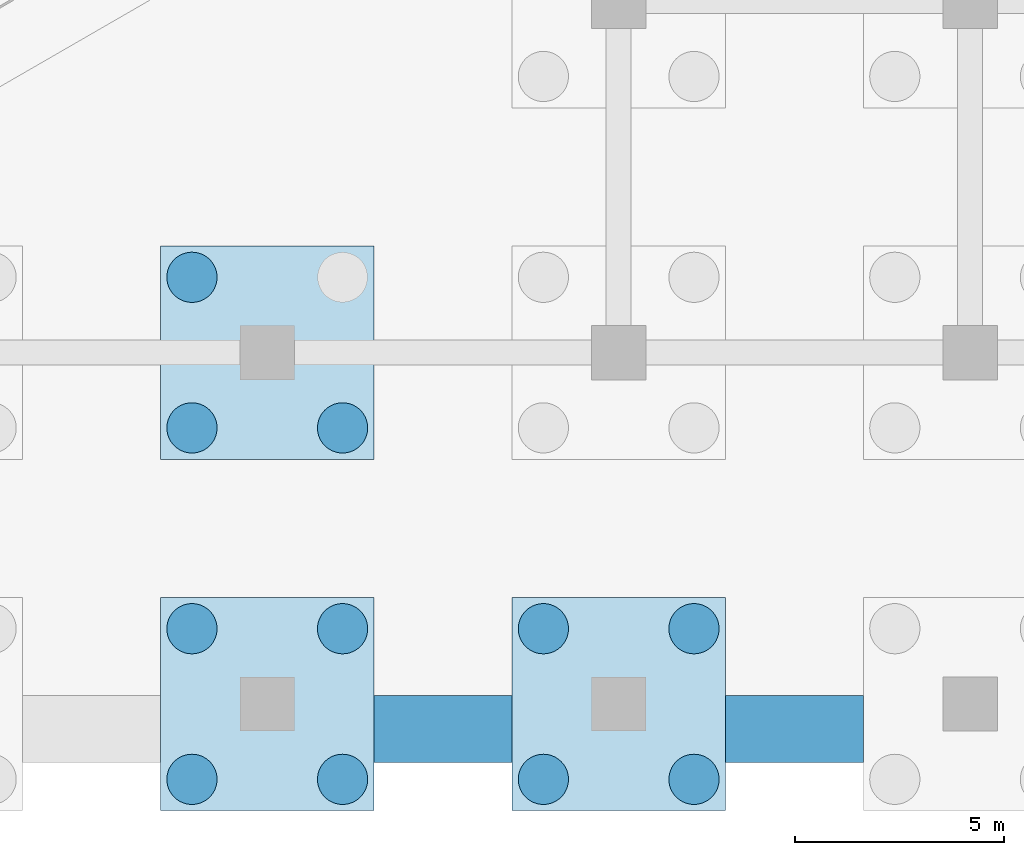
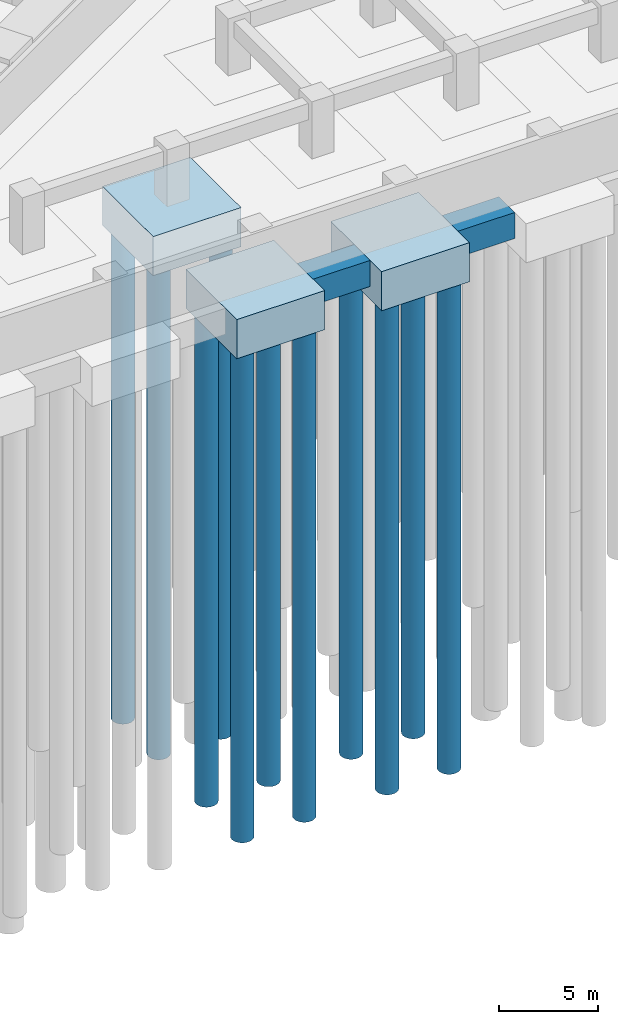
# One storey, part 6 of 73: 11 piles, 5 footings.
"""IFC4 building model written with IfcOpenShell, lengths in metres."""

from ifc_helpers import new_model, si_unit, direction, frame, origin, origin_2d, place, context, subcontext, project, spatial, polyline, circle, outline, extrude, material, material_profile, profile_set, type_object, element, save


model = new_model("IFC4")

# Units and contexts
model_context = context("Model", 3, precision=1e-05, world=origin(), true_north=direction((0.0, 1.0)))
body_context = subcontext(model_context, "Body", "Model", "MODEL_VIEW")
ifc_project = project(units=[si_unit("LENGTHUNIT", "METRE"), si_unit("AREAUNIT", "SQUARE_METRE"), si_unit("VOLUMEUNIT", "CUBIC_METRE"), si_unit("PLANEANGLEUNIT", "RADIAN"), si_unit("MASSUNIT", "GRAM", prefix="KILO")], contexts=[model_context])

# Site, building, storey
site_placement = place(None, origin())
site = spatial("IfcSite", under=ifc_project, at=site_placement, CompositionType="ELEMENT")
building_placement = place(site_placement, origin())
building = spatial("IfcBuilding", under=site, at=building_placement, Name="Impinga Residences", CompositionType="ELEMENT")
storey_placement = place(building_placement, frame((0.0, 0.0, -10.5)))
storey = spatial("IfcBuildingStorey", under=building, at=storey_placement, Name="B3", CompositionType="ELEMENT", Elevation=-10.5)

# Piles
ifc_material_1 = material(Name="Concrete C35/45", Category="concrete")
ifc_material_profile = material_profile(ifc_material_1, circle(Radius=0.60009765625, at=origin_2d()), Name="D1200")
ifc_profile_set = profile_set([ifc_material_profile], Name="Concrete C35/45")
pile_type = type_object("IfcPileType", Name="BP2 bored pile D1200", PredefinedType="BORED", material=ifc_profile_set)
pile_1_placement = place(storey_placement, frame((-18.60009765625, -43.800048828125, -2.39990234375), z_axis=(0.0, 0.0, -1.0), x_axis=(1.0, 0.0, 0.0)))
element("IfcPile", 1, at=pile_1_placement, inside=storey, type_object=pile_type, Name="Cap pile BP2 5/A-1", PredefinedType="BORED", context=body_context, shape_type="SweptSolid", body=[
    extrude(outline(polyline([(0.60009765625, 0.0), (0.59716796875, 0.058837890625), (0.58837890625, 0.116943359375), (0.57421875, 0.174072265625), (0.554443359375, 0.2294921875), (0.529052734375, 0.282958984375), (0.498779296875, 0.333251953125), (0.4638671875, 0.380615234375), (0.42431640625, 0.42431640625), (0.380615234375, 0.4638671875), (0.333251953125, 0.498779296875), (0.282958984375, 0.529052734375), (0.2294921875, 0.554443359375), (0.174072265625, 0.57421875), (0.116943359375, 0.58837890625), (0.058837890625, 0.59716796875), (0.0, 0.60009765625), (-0.058837890625, 0.59716796875), (-0.116943359375, 0.58837890625), (-0.174072265625, 0.57421875), (-0.2294921875, 0.554443359375), (-0.282958984375, 0.529052734375), (-0.333251953125, 0.498779296875), (-0.380615234375, 0.4638671875), (-0.42431640625, 0.42431640625), (-0.4638671875, 0.380615234375), (-0.498779296875, 0.333251953125), (-0.529052734375, 0.282958984375), (-0.554443359375, 0.2294921875), (-0.57421875, 0.174072265625), (-0.58837890625, 0.116943359375), (-0.59716796875, 0.058837890625), (-0.60009765625, 0.0), (-0.59716796875, -0.058837890625), (-0.58837890625, -0.116943359375), (-0.57421875, -0.174072265625), (-0.554443359375, -0.2294921875), (-0.529052734375, -0.282958984375), (-0.498779296875, -0.333251953125), (-0.4638671875, -0.380615234375), (-0.42431640625, -0.42431640625), (-0.380615234375, -0.4638671875), (-0.333251953125, -0.498779296875), (-0.282958984375, -0.529052734375), (-0.2294921875, -0.554443359375), (-0.174072265625, -0.57421875), (-0.116943359375, -0.58837890625), (-0.058837890625, -0.59716796875), (0.0, -0.60009765625), (0.058837890625, -0.59716796875), (0.116943359375, -0.58837890625), (0.174072265625, -0.57421875), (0.2294921875, -0.554443359375), (0.282958984375, -0.529052734375), (0.333251953125, -0.498779296875), (0.380615234375, -0.4638671875), (0.42431640625, -0.42431640625), (0.4638671875, -0.380615234375), (0.498779296875, -0.333251953125), (0.529052734375, -0.282958984375), (0.554443359375, -0.2294921875), (0.57421875, -0.174072265625), (0.58837890625, -0.116943359375), (0.59716796875, -0.058837890625), (0.60009765625, 0.0)])), origin(), (0.0, 0.0, 1.0), 30.0),
])
pile_2_placement = place(storey_placement, frame((-15.0, -43.800048828125, -2.39990234375), z_axis=(0.0, 0.0, -1.0), x_axis=(1.0, 0.0, 0.0)))
element("IfcPile", 2, at=pile_2_placement, inside=storey, type_object=pile_type, Name="Cap pile BP2 5/A-2", PredefinedType="BORED", context=body_context, shape_type="SweptSolid", body=[
    extrude(outline(polyline([(0.60009765625, 0.0), (0.59716796875, 0.058837890625), (0.58837890625, 0.116943359375), (0.57421875, 0.174072265625), (0.554443359375, 0.2294921875), (0.529052734375, 0.282958984375), (0.498779296875, 0.333251953125), (0.4638671875, 0.380615234375), (0.42431640625, 0.42431640625), (0.380615234375, 0.4638671875), (0.333251953125, 0.498779296875), (0.282958984375, 0.529052734375), (0.2294921875, 0.554443359375), (0.174072265625, 0.57421875), (0.116943359375, 0.58837890625), (0.058837890625, 0.59716796875), (0.0, 0.60009765625), (-0.058837890625, 0.59716796875), (-0.116943359375, 0.58837890625), (-0.174072265625, 0.57421875), (-0.2294921875, 0.554443359375), (-0.282958984375, 0.529052734375), (-0.333251953125, 0.498779296875), (-0.380615234375, 0.4638671875), (-0.42431640625, 0.42431640625), (-0.4638671875, 0.380615234375), (-0.498779296875, 0.333251953125), (-0.529052734375, 0.282958984375), (-0.554443359375, 0.2294921875), (-0.57421875, 0.174072265625), (-0.58837890625, 0.116943359375), (-0.59716796875, 0.058837890625), (-0.60009765625, 0.0), (-0.59716796875, -0.058837890625), (-0.58837890625, -0.116943359375), (-0.57421875, -0.174072265625), (-0.554443359375, -0.2294921875), (-0.529052734375, -0.282958984375), (-0.498779296875, -0.333251953125), (-0.4638671875, -0.380615234375), (-0.42431640625, -0.42431640625), (-0.380615234375, -0.4638671875), (-0.333251953125, -0.498779296875), (-0.282958984375, -0.529052734375), (-0.2294921875, -0.554443359375), (-0.174072265625, -0.57421875), (-0.116943359375, -0.58837890625), (-0.058837890625, -0.59716796875), (0.0, -0.60009765625), (0.058837890625, -0.59716796875), (0.116943359375, -0.58837890625), (0.174072265625, -0.57421875), (0.2294921875, -0.554443359375), (0.282958984375, -0.529052734375), (0.333251953125, -0.498779296875), (0.380615234375, -0.4638671875), (0.42431640625, -0.42431640625), (0.4638671875, -0.380615234375), (0.498779296875, -0.333251953125), (0.529052734375, -0.282958984375), (0.554443359375, -0.2294921875), (0.57421875, -0.174072265625), (0.58837890625, -0.116943359375), (0.59716796875, -0.058837890625), (0.60009765625, 0.0)])), origin(), (0.0, 0.0, 1.0), 30.0),
])
pile_3_placement = place(storey_placement, frame((-15.0, -40.199951171875, -2.39990234375), z_axis=(0.0, 0.0, -1.0), x_axis=(1.0, 0.0, 0.0)))
element("IfcPile", 3, at=pile_3_placement, inside=storey, type_object=pile_type, Name="Cap pile BP2 5/A-3", PredefinedType="BORED", context=body_context, shape_type="SweptSolid", body=[
    extrude(outline(polyline([(0.60009765625, 0.0), (0.59716796875, 0.058837890625), (0.58837890625, 0.116943359375), (0.57421875, 0.174072265625), (0.554443359375, 0.2294921875), (0.529052734375, 0.282958984375), (0.498779296875, 0.333251953125), (0.4638671875, 0.380615234375), (0.42431640625, 0.42431640625), (0.380615234375, 0.4638671875), (0.333251953125, 0.498779296875), (0.282958984375, 0.529052734375), (0.2294921875, 0.554443359375), (0.174072265625, 0.57421875), (0.116943359375, 0.58837890625), (0.058837890625, 0.59716796875), (0.0, 0.60009765625), (-0.058837890625, 0.59716796875), (-0.116943359375, 0.58837890625), (-0.174072265625, 0.57421875), (-0.2294921875, 0.554443359375), (-0.282958984375, 0.529052734375), (-0.333251953125, 0.498779296875), (-0.380615234375, 0.4638671875), (-0.42431640625, 0.42431640625), (-0.4638671875, 0.380615234375), (-0.498779296875, 0.333251953125), (-0.529052734375, 0.282958984375), (-0.554443359375, 0.2294921875), (-0.57421875, 0.174072265625), (-0.58837890625, 0.116943359375), (-0.59716796875, 0.058837890625), (-0.60009765625, 0.0), (-0.59716796875, -0.058837890625), (-0.58837890625, -0.116943359375), (-0.57421875, -0.174072265625), (-0.554443359375, -0.2294921875), (-0.529052734375, -0.282958984375), (-0.498779296875, -0.333251953125), (-0.4638671875, -0.380615234375), (-0.42431640625, -0.42431640625), (-0.380615234375, -0.4638671875), (-0.333251953125, -0.498779296875), (-0.282958984375, -0.529052734375), (-0.2294921875, -0.554443359375), (-0.174072265625, -0.57421875), (-0.116943359375, -0.58837890625), (-0.058837890625, -0.59716796875), (0.0, -0.60009765625), (0.058837890625, -0.59716796875), (0.116943359375, -0.58837890625), (0.174072265625, -0.57421875), (0.2294921875, -0.554443359375), (0.282958984375, -0.529052734375), (0.333251953125, -0.498779296875), (0.380615234375, -0.4638671875), (0.42431640625, -0.42431640625), (0.4638671875, -0.380615234375), (0.498779296875, -0.333251953125), (0.529052734375, -0.282958984375), (0.554443359375, -0.2294921875), (0.57421875, -0.174072265625), (0.58837890625, -0.116943359375), (0.59716796875, -0.058837890625), (0.60009765625, 0.0)])), origin(), (0.0, 0.0, 1.0), 30.0),
])
pile_4_placement = place(storey_placement, frame((-18.60009765625, -40.199951171875, -2.39990234375), z_axis=(0.0, 0.0, -1.0), x_axis=(1.0, 0.0, 0.0)))
element("IfcPile", 4, at=pile_4_placement, inside=storey, type_object=pile_type, Name="Cap pile BP2 5/A-4", PredefinedType="BORED", context=body_context, shape_type="SweptSolid", body=[
    extrude(outline(polyline([(0.60009765625, 0.0), (0.59716796875, 0.058837890625), (0.58837890625, 0.116943359375), (0.57421875, 0.174072265625), (0.554443359375, 0.2294921875), (0.529052734375, 0.282958984375), (0.498779296875, 0.333251953125), (0.4638671875, 0.380615234375), (0.42431640625, 0.42431640625), (0.380615234375, 0.4638671875), (0.333251953125, 0.498779296875), (0.282958984375, 0.529052734375), (0.2294921875, 0.554443359375), (0.174072265625, 0.57421875), (0.116943359375, 0.58837890625), (0.058837890625, 0.59716796875), (0.0, 0.60009765625), (-0.058837890625, 0.59716796875), (-0.116943359375, 0.58837890625), (-0.174072265625, 0.57421875), (-0.2294921875, 0.554443359375), (-0.282958984375, 0.529052734375), (-0.333251953125, 0.498779296875), (-0.380615234375, 0.4638671875), (-0.42431640625, 0.42431640625), (-0.4638671875, 0.380615234375), (-0.498779296875, 0.333251953125), (-0.529052734375, 0.282958984375), (-0.554443359375, 0.2294921875), (-0.57421875, 0.174072265625), (-0.58837890625, 0.116943359375), (-0.59716796875, 0.058837890625), (-0.60009765625, 0.0), (-0.59716796875, -0.058837890625), (-0.58837890625, -0.116943359375), (-0.57421875, -0.174072265625), (-0.554443359375, -0.2294921875), (-0.529052734375, -0.282958984375), (-0.498779296875, -0.333251953125), (-0.4638671875, -0.380615234375), (-0.42431640625, -0.42431640625), (-0.380615234375, -0.4638671875), (-0.333251953125, -0.498779296875), (-0.282958984375, -0.529052734375), (-0.2294921875, -0.554443359375), (-0.174072265625, -0.57421875), (-0.116943359375, -0.58837890625), (-0.058837890625, -0.59716796875), (0.0, -0.60009765625), (0.058837890625, -0.59716796875), (0.116943359375, -0.58837890625), (0.174072265625, -0.57421875), (0.2294921875, -0.554443359375), (0.282958984375, -0.529052734375), (0.333251953125, -0.498779296875), (0.380615234375, -0.4638671875), (0.42431640625, -0.42431640625), (0.4638671875, -0.380615234375), (0.498779296875, -0.333251953125), (0.529052734375, -0.282958984375), (0.554443359375, -0.2294921875), (0.57421875, -0.174072265625), (0.58837890625, -0.116943359375), (0.59716796875, -0.058837890625), (0.60009765625, 0.0)])), origin(), (0.0, 0.0, 1.0), 30.0),
])
pile_5_placement = place(storey_placement, frame((-18.60009765625, -35.39990234375, -2.39990234375), z_axis=(0.0, 0.0, -1.0), x_axis=(1.0, 0.0, 0.0)))
element("IfcPile", 5, at=pile_5_placement, inside=storey, type_object=pile_type, Name="Cap pile BP2 5/B-1", PredefinedType="BORED", context=body_context, shape_type="SweptSolid", body=[
    extrude(outline(polyline([(0.60009765625, 0.0), (0.59716796875, 0.058837890625), (0.58837890625, 0.116943359375), (0.57421875, 0.174072265625), (0.554443359375, 0.2294921875), (0.529052734375, 0.282958984375), (0.498779296875, 0.333251953125), (0.4638671875, 0.380615234375), (0.42431640625, 0.42431640625), (0.380615234375, 0.4638671875), (0.333251953125, 0.498779296875), (0.282958984375, 0.529052734375), (0.2294921875, 0.554443359375), (0.174072265625, 0.57421875), (0.116943359375, 0.58837890625), (0.058837890625, 0.59716796875), (0.0, 0.60009765625), (-0.058837890625, 0.59716796875), (-0.116943359375, 0.58837890625), (-0.174072265625, 0.57421875), (-0.2294921875, 0.554443359375), (-0.282958984375, 0.529052734375), (-0.333251953125, 0.498779296875), (-0.380615234375, 0.4638671875), (-0.42431640625, 0.42431640625), (-0.4638671875, 0.380615234375), (-0.498779296875, 0.333251953125), (-0.529052734375, 0.282958984375), (-0.554443359375, 0.2294921875), (-0.57421875, 0.174072265625), (-0.58837890625, 0.116943359375), (-0.59716796875, 0.058837890625), (-0.60009765625, 0.0), (-0.59716796875, -0.058837890625), (-0.58837890625, -0.116943359375), (-0.57421875, -0.174072265625), (-0.554443359375, -0.2294921875), (-0.529052734375, -0.282958984375), (-0.498779296875, -0.333251953125), (-0.4638671875, -0.380615234375), (-0.42431640625, -0.42431640625), (-0.380615234375, -0.4638671875), (-0.333251953125, -0.498779296875), (-0.282958984375, -0.529052734375), (-0.2294921875, -0.554443359375), (-0.174072265625, -0.57421875), (-0.116943359375, -0.58837890625), (-0.058837890625, -0.59716796875), (0.0, -0.60009765625), (0.058837890625, -0.59716796875), (0.116943359375, -0.58837890625), (0.174072265625, -0.57421875), (0.2294921875, -0.554443359375), (0.282958984375, -0.529052734375), (0.333251953125, -0.498779296875), (0.380615234375, -0.4638671875), (0.42431640625, -0.42431640625), (0.4638671875, -0.380615234375), (0.498779296875, -0.333251953125), (0.529052734375, -0.282958984375), (0.554443359375, -0.2294921875), (0.57421875, -0.174072265625), (0.58837890625, -0.116943359375), (0.59716796875, -0.058837890625), (0.60009765625, 0.0)])), origin(), (0.0, 0.0, 1.0), 30.0),
])
pile_6_placement = place(storey_placement, frame((-15.0, -35.39990234375, -2.39990234375), z_axis=(0.0, 0.0, -1.0), x_axis=(1.0, 0.0, 0.0)))
element("IfcPile", 6, at=pile_6_placement, inside=storey, type_object=pile_type, Name="Cap pile BP2 5/B-2", PredefinedType="BORED", context=body_context, shape_type="SweptSolid", body=[
    extrude(outline(polyline([(0.60009765625, 0.0), (0.59716796875, 0.058837890625), (0.58837890625, 0.116943359375), (0.57421875, 0.174072265625), (0.554443359375, 0.2294921875), (0.529052734375, 0.282958984375), (0.498779296875, 0.333251953125), (0.4638671875, 0.380615234375), (0.42431640625, 0.42431640625), (0.380615234375, 0.4638671875), (0.333251953125, 0.498779296875), (0.282958984375, 0.529052734375), (0.2294921875, 0.554443359375), (0.174072265625, 0.57421875), (0.116943359375, 0.58837890625), (0.058837890625, 0.59716796875), (0.0, 0.60009765625), (-0.058837890625, 0.59716796875), (-0.116943359375, 0.58837890625), (-0.174072265625, 0.57421875), (-0.2294921875, 0.554443359375), (-0.282958984375, 0.529052734375), (-0.333251953125, 0.498779296875), (-0.380615234375, 0.4638671875), (-0.42431640625, 0.42431640625), (-0.4638671875, 0.380615234375), (-0.498779296875, 0.333251953125), (-0.529052734375, 0.282958984375), (-0.554443359375, 0.2294921875), (-0.57421875, 0.174072265625), (-0.58837890625, 0.116943359375), (-0.59716796875, 0.058837890625), (-0.60009765625, 0.0), (-0.59716796875, -0.058837890625), (-0.58837890625, -0.116943359375), (-0.57421875, -0.174072265625), (-0.554443359375, -0.2294921875), (-0.529052734375, -0.282958984375), (-0.498779296875, -0.333251953125), (-0.4638671875, -0.380615234375), (-0.42431640625, -0.42431640625), (-0.380615234375, -0.4638671875), (-0.333251953125, -0.498779296875), (-0.282958984375, -0.529052734375), (-0.2294921875, -0.554443359375), (-0.174072265625, -0.57421875), (-0.116943359375, -0.58837890625), (-0.058837890625, -0.59716796875), (0.0, -0.60009765625), (0.058837890625, -0.59716796875), (0.116943359375, -0.58837890625), (0.174072265625, -0.57421875), (0.2294921875, -0.554443359375), (0.282958984375, -0.529052734375), (0.333251953125, -0.498779296875), (0.380615234375, -0.4638671875), (0.42431640625, -0.42431640625), (0.4638671875, -0.380615234375), (0.498779296875, -0.333251953125), (0.529052734375, -0.282958984375), (0.554443359375, -0.2294921875), (0.57421875, -0.174072265625), (0.58837890625, -0.116943359375), (0.59716796875, -0.058837890625), (0.60009765625, 0.0)])), origin(), (0.0, 0.0, 1.0), 30.0),
])
pile_7_placement = place(storey_placement, frame((-18.60009765625, -31.800048828125, -2.39990234375), z_axis=(0.0, 0.0, -1.0), x_axis=(1.0, 0.0, 0.0)))
element("IfcPile", 7, at=pile_7_placement, inside=storey, type_object=pile_type, Name="Cap pile BP2 5/B-4", PredefinedType="BORED", context=body_context, shape_type="SweptSolid", body=[
    extrude(outline(polyline([(0.60009765625, 0.0), (0.59716796875, 0.058837890625), (0.58837890625, 0.116943359375), (0.57421875, 0.174072265625), (0.554443359375, 0.2294921875), (0.529052734375, 0.282958984375), (0.498779296875, 0.333251953125), (0.4638671875, 0.380615234375), (0.42431640625, 0.42431640625), (0.380615234375, 0.4638671875), (0.333251953125, 0.498779296875), (0.282958984375, 0.529052734375), (0.2294921875, 0.554443359375), (0.174072265625, 0.57421875), (0.116943359375, 0.58837890625), (0.058837890625, 0.59716796875), (0.0, 0.60009765625), (-0.058837890625, 0.59716796875), (-0.116943359375, 0.58837890625), (-0.174072265625, 0.57421875), (-0.2294921875, 0.554443359375), (-0.282958984375, 0.529052734375), (-0.333251953125, 0.498779296875), (-0.380615234375, 0.4638671875), (-0.42431640625, 0.42431640625), (-0.4638671875, 0.380615234375), (-0.498779296875, 0.333251953125), (-0.529052734375, 0.282958984375), (-0.554443359375, 0.2294921875), (-0.57421875, 0.174072265625), (-0.58837890625, 0.116943359375), (-0.59716796875, 0.058837890625), (-0.60009765625, 0.0), (-0.59716796875, -0.058837890625), (-0.58837890625, -0.116943359375), (-0.57421875, -0.174072265625), (-0.554443359375, -0.2294921875), (-0.529052734375, -0.282958984375), (-0.498779296875, -0.333251953125), (-0.4638671875, -0.380615234375), (-0.42431640625, -0.42431640625), (-0.380615234375, -0.4638671875), (-0.333251953125, -0.498779296875), (-0.282958984375, -0.529052734375), (-0.2294921875, -0.554443359375), (-0.174072265625, -0.57421875), (-0.116943359375, -0.58837890625), (-0.058837890625, -0.59716796875), (0.0, -0.60009765625), (0.058837890625, -0.59716796875), (0.116943359375, -0.58837890625), (0.174072265625, -0.57421875), (0.2294921875, -0.554443359375), (0.282958984375, -0.529052734375), (0.333251953125, -0.498779296875), (0.380615234375, -0.4638671875), (0.42431640625, -0.42431640625), (0.4638671875, -0.380615234375), (0.498779296875, -0.333251953125), (0.529052734375, -0.282958984375), (0.554443359375, -0.2294921875), (0.57421875, -0.174072265625), (0.58837890625, -0.116943359375), (0.59716796875, -0.058837890625), (0.60009765625, 0.0)])), origin(), (0.0, 0.0, 1.0), 30.0),
])
pile_8_placement = place(storey_placement, frame((-10.199951171875, -43.800048828125, -2.39990234375), z_axis=(0.0, 0.0, -1.0), x_axis=(1.0, 0.0, 0.0)))
element("IfcPile", 8, at=pile_8_placement, inside=storey, type_object=pile_type, Name="Cap pile BP2 6/A-1", PredefinedType="BORED", context=body_context, shape_type="SweptSolid", body=[
    extrude(outline(polyline([(0.60009765625, 0.0), (0.59716796875, 0.058837890625), (0.58837890625, 0.116943359375), (0.57421875, 0.174072265625), (0.554443359375, 0.2294921875), (0.529052734375, 0.282958984375), (0.498779296875, 0.333251953125), (0.4638671875, 0.380615234375), (0.42431640625, 0.42431640625), (0.380615234375, 0.4638671875), (0.333251953125, 0.498779296875), (0.282958984375, 0.529052734375), (0.2294921875, 0.554443359375), (0.174072265625, 0.57421875), (0.116943359375, 0.58837890625), (0.058837890625, 0.59716796875), (0.0, 0.60009765625), (-0.058837890625, 0.59716796875), (-0.116943359375, 0.58837890625), (-0.174072265625, 0.57421875), (-0.2294921875, 0.554443359375), (-0.282958984375, 0.529052734375), (-0.333251953125, 0.498779296875), (-0.380615234375, 0.4638671875), (-0.42431640625, 0.42431640625), (-0.4638671875, 0.380615234375), (-0.498779296875, 0.333251953125), (-0.529052734375, 0.282958984375), (-0.554443359375, 0.2294921875), (-0.57421875, 0.174072265625), (-0.58837890625, 0.116943359375), (-0.59716796875, 0.058837890625), (-0.60009765625, 0.0), (-0.59716796875, -0.058837890625), (-0.58837890625, -0.116943359375), (-0.57421875, -0.174072265625), (-0.554443359375, -0.2294921875), (-0.529052734375, -0.282958984375), (-0.498779296875, -0.333251953125), (-0.4638671875, -0.380615234375), (-0.42431640625, -0.42431640625), (-0.380615234375, -0.4638671875), (-0.333251953125, -0.498779296875), (-0.282958984375, -0.529052734375), (-0.2294921875, -0.554443359375), (-0.174072265625, -0.57421875), (-0.116943359375, -0.58837890625), (-0.058837890625, -0.59716796875), (0.0, -0.60009765625), (0.058837890625, -0.59716796875), (0.116943359375, -0.58837890625), (0.174072265625, -0.57421875), (0.2294921875, -0.554443359375), (0.282958984375, -0.529052734375), (0.333251953125, -0.498779296875), (0.380615234375, -0.4638671875), (0.42431640625, -0.42431640625), (0.4638671875, -0.380615234375), (0.498779296875, -0.333251953125), (0.529052734375, -0.282958984375), (0.554443359375, -0.2294921875), (0.57421875, -0.174072265625), (0.58837890625, -0.116943359375), (0.59716796875, -0.058837890625), (0.60009765625, 0.0)])), origin(), (0.0, 0.0, 1.0), 30.0),
])
pile_9_placement = place(storey_placement, frame((-6.60009765625, -43.800048828125, -2.39990234375), z_axis=(0.0, 0.0, -1.0), x_axis=(1.0, 0.0, 0.0)))
element("IfcPile", 9, at=pile_9_placement, inside=storey, type_object=pile_type, Name="Cap pile BP2 6/A-2", PredefinedType="BORED", context=body_context, shape_type="SweptSolid", body=[
    extrude(outline(polyline([(0.60009765625, 0.0), (0.59716796875, 0.058837890625), (0.58837890625, 0.116943359375), (0.57421875, 0.174072265625), (0.554443359375, 0.2294921875), (0.529052734375, 0.282958984375), (0.498779296875, 0.333251953125), (0.4638671875, 0.380615234375), (0.42431640625, 0.42431640625), (0.380615234375, 0.4638671875), (0.333251953125, 0.498779296875), (0.282958984375, 0.529052734375), (0.2294921875, 0.554443359375), (0.174072265625, 0.57421875), (0.116943359375, 0.58837890625), (0.058837890625, 0.59716796875), (0.0, 0.60009765625), (-0.058837890625, 0.59716796875), (-0.116943359375, 0.58837890625), (-0.174072265625, 0.57421875), (-0.2294921875, 0.554443359375), (-0.282958984375, 0.529052734375), (-0.333251953125, 0.498779296875), (-0.380615234375, 0.4638671875), (-0.42431640625, 0.42431640625), (-0.4638671875, 0.380615234375), (-0.498779296875, 0.333251953125), (-0.529052734375, 0.282958984375), (-0.554443359375, 0.2294921875), (-0.57421875, 0.174072265625), (-0.58837890625, 0.116943359375), (-0.59716796875, 0.058837890625), (-0.60009765625, 0.0), (-0.59716796875, -0.058837890625), (-0.58837890625, -0.116943359375), (-0.57421875, -0.174072265625), (-0.554443359375, -0.2294921875), (-0.529052734375, -0.282958984375), (-0.498779296875, -0.333251953125), (-0.4638671875, -0.380615234375), (-0.42431640625, -0.42431640625), (-0.380615234375, -0.4638671875), (-0.333251953125, -0.498779296875), (-0.282958984375, -0.529052734375), (-0.2294921875, -0.554443359375), (-0.174072265625, -0.57421875), (-0.116943359375, -0.58837890625), (-0.058837890625, -0.59716796875), (0.0, -0.60009765625), (0.058837890625, -0.59716796875), (0.116943359375, -0.58837890625), (0.174072265625, -0.57421875), (0.2294921875, -0.554443359375), (0.282958984375, -0.529052734375), (0.333251953125, -0.498779296875), (0.380615234375, -0.4638671875), (0.42431640625, -0.42431640625), (0.4638671875, -0.380615234375), (0.498779296875, -0.333251953125), (0.529052734375, -0.282958984375), (0.554443359375, -0.2294921875), (0.57421875, -0.174072265625), (0.58837890625, -0.116943359375), (0.59716796875, -0.058837890625), (0.60009765625, 0.0)])), origin(), (0.0, 0.0, 1.0), 30.0),
])
pile_10_placement = place(storey_placement, frame((-6.60009765625, -40.199951171875, -2.39990234375), z_axis=(0.0, 0.0, -1.0), x_axis=(1.0, 0.0, 0.0)))
element("IfcPile", 10, at=pile_10_placement, inside=storey, type_object=pile_type, Name="Cap pile BP2 6/A-3", PredefinedType="BORED", context=body_context, shape_type="SweptSolid", body=[
    extrude(outline(polyline([(0.60009765625, 0.0), (0.59716796875, 0.058837890625), (0.58837890625, 0.116943359375), (0.57421875, 0.174072265625), (0.554443359375, 0.2294921875), (0.529052734375, 0.282958984375), (0.498779296875, 0.333251953125), (0.4638671875, 0.380615234375), (0.42431640625, 0.42431640625), (0.380615234375, 0.4638671875), (0.333251953125, 0.498779296875), (0.282958984375, 0.529052734375), (0.2294921875, 0.554443359375), (0.174072265625, 0.57421875), (0.116943359375, 0.58837890625), (0.058837890625, 0.59716796875), (0.0, 0.60009765625), (-0.058837890625, 0.59716796875), (-0.116943359375, 0.58837890625), (-0.174072265625, 0.57421875), (-0.2294921875, 0.554443359375), (-0.282958984375, 0.529052734375), (-0.333251953125, 0.498779296875), (-0.380615234375, 0.4638671875), (-0.42431640625, 0.42431640625), (-0.4638671875, 0.380615234375), (-0.498779296875, 0.333251953125), (-0.529052734375, 0.282958984375), (-0.554443359375, 0.2294921875), (-0.57421875, 0.174072265625), (-0.58837890625, 0.116943359375), (-0.59716796875, 0.058837890625), (-0.60009765625, 0.0), (-0.59716796875, -0.058837890625), (-0.58837890625, -0.116943359375), (-0.57421875, -0.174072265625), (-0.554443359375, -0.2294921875), (-0.529052734375, -0.282958984375), (-0.498779296875, -0.333251953125), (-0.4638671875, -0.380615234375), (-0.42431640625, -0.42431640625), (-0.380615234375, -0.4638671875), (-0.333251953125, -0.498779296875), (-0.282958984375, -0.529052734375), (-0.2294921875, -0.554443359375), (-0.174072265625, -0.57421875), (-0.116943359375, -0.58837890625), (-0.058837890625, -0.59716796875), (0.0, -0.60009765625), (0.058837890625, -0.59716796875), (0.116943359375, -0.58837890625), (0.174072265625, -0.57421875), (0.2294921875, -0.554443359375), (0.282958984375, -0.529052734375), (0.333251953125, -0.498779296875), (0.380615234375, -0.4638671875), (0.42431640625, -0.42431640625), (0.4638671875, -0.380615234375), (0.498779296875, -0.333251953125), (0.529052734375, -0.282958984375), (0.554443359375, -0.2294921875), (0.57421875, -0.174072265625), (0.58837890625, -0.116943359375), (0.59716796875, -0.058837890625), (0.60009765625, 0.0)])), origin(), (0.0, 0.0, 1.0), 30.0),
])
pile_11_placement = place(storey_placement, frame((-10.199951171875, -40.199951171875, -2.39990234375), z_axis=(0.0, 0.0, -1.0), x_axis=(1.0, 0.0, 0.0)))
element("IfcPile", 11, at=pile_11_placement, inside=storey, type_object=pile_type, Name="Cap pile BP2 6/A-4", PredefinedType="BORED", context=body_context, shape_type="SweptSolid", body=[
    extrude(outline(polyline([(0.60009765625, 0.0), (0.59716796875, 0.058837890625), (0.58837890625, 0.116943359375), (0.57421875, 0.174072265625), (0.554443359375, 0.2294921875), (0.529052734375, 0.282958984375), (0.498779296875, 0.333251953125), (0.4638671875, 0.380615234375), (0.42431640625, 0.42431640625), (0.380615234375, 0.4638671875), (0.333251953125, 0.498779296875), (0.282958984375, 0.529052734375), (0.2294921875, 0.554443359375), (0.174072265625, 0.57421875), (0.116943359375, 0.58837890625), (0.058837890625, 0.59716796875), (0.0, 0.60009765625), (-0.058837890625, 0.59716796875), (-0.116943359375, 0.58837890625), (-0.174072265625, 0.57421875), (-0.2294921875, 0.554443359375), (-0.282958984375, 0.529052734375), (-0.333251953125, 0.498779296875), (-0.380615234375, 0.4638671875), (-0.42431640625, 0.42431640625), (-0.4638671875, 0.380615234375), (-0.498779296875, 0.333251953125), (-0.529052734375, 0.282958984375), (-0.554443359375, 0.2294921875), (-0.57421875, 0.174072265625), (-0.58837890625, 0.116943359375), (-0.59716796875, 0.058837890625), (-0.60009765625, 0.0), (-0.59716796875, -0.058837890625), (-0.58837890625, -0.116943359375), (-0.57421875, -0.174072265625), (-0.554443359375, -0.2294921875), (-0.529052734375, -0.282958984375), (-0.498779296875, -0.333251953125), (-0.4638671875, -0.380615234375), (-0.42431640625, -0.42431640625), (-0.380615234375, -0.4638671875), (-0.333251953125, -0.498779296875), (-0.282958984375, -0.529052734375), (-0.2294921875, -0.554443359375), (-0.174072265625, -0.57421875), (-0.116943359375, -0.58837890625), (-0.058837890625, -0.59716796875), (0.0, -0.60009765625), (0.058837890625, -0.59716796875), (0.116943359375, -0.58837890625), (0.174072265625, -0.57421875), (0.2294921875, -0.554443359375), (0.282958984375, -0.529052734375), (0.333251953125, -0.498779296875), (0.380615234375, -0.4638671875), (0.42431640625, -0.42431640625), (0.4638671875, -0.380615234375), (0.498779296875, -0.333251953125), (0.529052734375, -0.282958984375), (0.554443359375, -0.2294921875), (0.57421875, -0.174072265625), (0.58837890625, -0.116943359375), (0.59716796875, -0.058837890625), (0.60009765625, 0.0)])), origin(), (0.0, 0.0, 1.0), 30.0),
])

# Footings
ifc_material_2 = material(Name="Concrete C45/55", Category="concrete")
footing_type_1 = type_object("IfcFootingType", Name="PC4 four-pile cap 5100 square 2400 deep", PredefinedType="PILE_CAP", material=ifc_material_2)
footing_1_placement = place(storey_placement, frame((0.0, 0.0, -2.39990234375)))
element("IfcFooting", 12, at=footing_1_placement, inside=storey, type_object=footing_type_1, Name="Pile cap PC4 5/A", PredefinedType="PILE_CAP", context=body_context, shape_type="SweptSolid", body=[
    extrude(outline(polyline([(-14.25, -44.550048828125), (-14.25, -39.449951171875), (-19.35009765625, -39.449951171875), (-19.35009765625, -44.550048828125), (-14.25, -44.550048828125)])), origin(), (0.0, 0.0, 1.0), 2.39990234375),
])
footing_2_placement = place(storey_placement, frame((0.0, 0.0, -2.39990234375)))
element("IfcFooting", 13, at=footing_2_placement, inside=storey, type_object=footing_type_1, Name="Pile cap PC4 5/B", PredefinedType="PILE_CAP", context=body_context, shape_type="SweptSolid", body=[
    extrude(outline(polyline([(-14.25, -36.14990234375), (-14.25, -31.050048828125), (-19.35009765625, -31.050048828125), (-19.35009765625, -36.14990234375), (-14.25, -36.14990234375)])), origin(), (0.0, 0.0, 1.0), 2.39990234375),
])
footing_3_placement = place(storey_placement, frame((0.0, 0.0, -2.39990234375)))
element("IfcFooting", 14, at=footing_3_placement, inside=storey, type_object=footing_type_1, Name="Pile cap PC4 6/A", PredefinedType="PILE_CAP", context=body_context, shape_type="SweptSolid", body=[
    extrude(outline(polyline([(-5.85009765625, -44.550048828125), (-5.85009765625, -39.449951171875), (-10.949951171875, -39.449951171875), (-10.949951171875, -44.550048828125), (-5.85009765625, -44.550048828125)])), origin(), (0.0, 0.0, 1.0), 2.39990234375),
])
footing_type_2 = type_object("IfcFootingType", Name="SF1 strip footing 1600 wide 1600 deep", PredefinedType="STRIP_FOOTING", material=ifc_material_2)
footing_4_placement = place(storey_placement, frame((0.0, 0.0, -1.60009765625)))
element("IfcFooting", 15, at=footing_4_placement, inside=storey, type_object=footing_type_2, Name="Strip footing SF1 S 7", PredefinedType="STRIP_FOOTING", context=body_context, shape_type="SweptSolid", body=[
    extrude(outline(polyline([(-5.85009765625, -43.39990234375), (-5.85009765625, -41.800048828125), (-2.550048828125, -41.800048828125), (-2.550048828125, -43.39990234375), (-5.85009765625, -43.39990234375)])), origin(), (0.0, 0.0, 1.0), 1.60009765625),
])
footing_5_placement = place(storey_placement, frame((0.0, 0.0, -1.60009765625)))
element("IfcFooting", 16, at=footing_5_placement, inside=storey, type_object=footing_type_2, Name="Strip footing SF1 S 8", PredefinedType="STRIP_FOOTING", context=body_context, shape_type="SweptSolid", body=[
    extrude(outline(polyline([(-14.25, -43.39990234375), (-14.25, -41.800048828125), (-10.949951171875, -41.800048828125), (-10.949951171875, -43.39990234375), (-14.25, -43.39990234375)])), origin(), (0.0, 0.0, 1.0), 1.60009765625),
])

save(model, "model.ifc")
